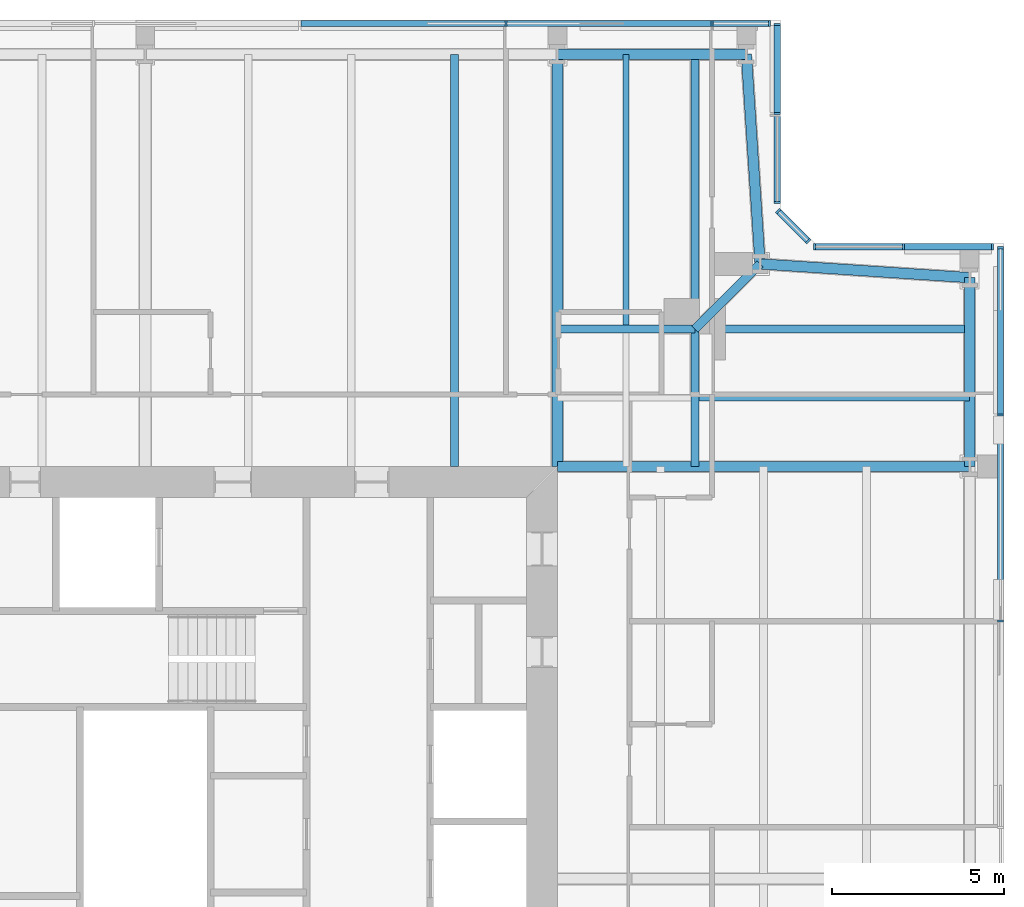
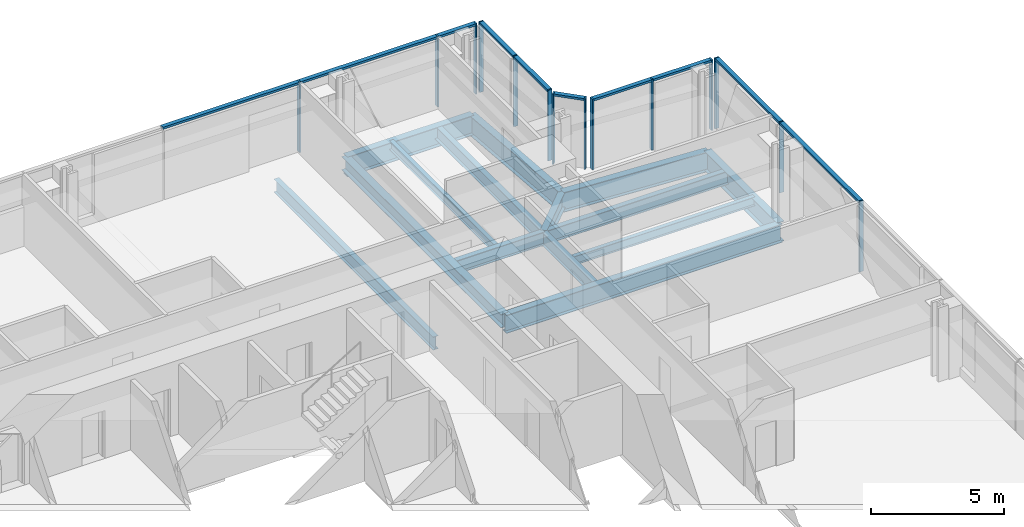
# One storey, part 9 of 20: 24 members, 14 beams, 5 elements without a shape of their own.
"""IFC4 building model written with IfcOpenShell, lengths in metres."""

from ifc_helpers import new_model, si_unit, direction, frame, origin, origin_2d, place, context, subcontext, project, spatial, rectangle, i_section, extrude, material, material_profile, profile_set, type_object, element, aggregate, save


model = new_model("IFC4")

# Units and contexts
model_context = context("Model", 3, precision=1e-05, world=origin(), true_north=direction((0.0, 1.0)))
body_context = subcontext(model_context, "Body", "Model", "MODEL_VIEW")
ifc_project = project(units=[si_unit("LENGTHUNIT", "METRE"), si_unit("AREAUNIT", "SQUARE_METRE"), si_unit("VOLUMEUNIT", "CUBIC_METRE"), si_unit("PLANEANGLEUNIT", "RADIAN"), si_unit("MASSUNIT", "GRAM", prefix="KILO")], contexts=[model_context])

# Site, building, storey
site_placement = place(None, origin())
site = spatial("IfcSite", under=ifc_project, at=site_placement, CompositionType="ELEMENT")
building_placement = place(site_placement, origin())
building = spatial("IfcBuilding", under=site, at=building_placement, Name="Fenwick Lantern Interchange", CompositionType="ELEMENT")
storey_placement = place(building_placement, frame((0.0, 0.0, 259.39990234375)))
storey = spatial("IfcBuildingStorey", under=building, at=storey_placement, Name="L61", CompositionType="ELEMENT", Elevation=259.39990234375)

# Beams
ifc_material_1 = material(Name="Steel ASTM A992 Grade 50", Category="steel")
ifc_material_profile_1 = material_profile(ifc_material_1, i_section(OverallWidth=0.3046875, OverallDepth=0.911865234375, WebThickness=0.015869140625, FlangeThickness=0.02392578125, at=origin_2d()), Name="W36X150")
ifc_profile_set_1 = profile_set([ifc_material_profile_1], Name="Steel ASTM A992 Grade 50")
beam_type_1 = type_object("IfcBeamType", Name="EDGE BEAM W36X150", PredefinedType="SPANDREL", material=ifc_profile_set_1)
beam_1_placement = place(storey_placement, frame((49.0, 37.0, -0.605712890625), z_axis=(0.0, 1.0, 0.0), x_axis=(-1.0, 0.0, 0.0)))
element("IfcBeam", 1, at=beam_1_placement, inside=storey, type_object=beam_type_1, Name="L61/FR/E/EB4", PredefinedType="SPANDREL", context=body_context, shape_type="SweptSolid", body=[
    extrude(i_section(OverallWidth=0.3046875, OverallDepth=0.911865234375, WebThickness=0.015869140625, FlangeThickness=0.02392578125, at=origin_2d()), origin(), (0.0, 0.0, 1.0), 5.5),
])
for number, where, z_axis, x_axis, name in (
    (2, (49.0, 42.5, -0.605712890625), (-0.997858060337, 0.065416293237, 0.0), (-0.065416293237, -0.997858060337, 0.0), "L61/FR/E/EBR1"),
    (3, (42.89990234375, 42.89990234375, -0.605712890625), (-0.065416293237, 0.997858060337, 0.0), (-0.997858060337, -0.065416293237, 0.0), "L61/FR/E/EBR2"),
):
    element("IfcBeam", number, at=place(storey_placement, frame(where, z_axis=z_axis, x_axis=x_axis)), inside=storey, type_object=beam_type_1, Name=name, PredefinedType="SPANDREL", context=body_context, shape_type="SweptSolid", body=[
        extrude(i_section(OverallWidth=0.3046875, OverallDepth=0.911865234375, WebThickness=0.015869140625, FlangeThickness=0.02392578125, at=origin_2d()), origin(), (0.0, 0.0, 1.0), 6.11328125),
    ])
beam_2_placement = place(storey_placement, frame((42.5, 49.0, -0.605712890625), z_axis=(-1.0, 0.0, 0.0), x_axis=(0.0, -1.0, 0.0)))
element("IfcBeam", 4, at=beam_2_placement, inside=storey, type_object=beam_type_1, Name="L61/FR/N/EB1", PredefinedType="SPANDREL", context=body_context, shape_type="SweptSolid", body=[
    extrude(i_section(OverallWidth=0.3046875, OverallDepth=0.911865234375, WebThickness=0.015869140625, FlangeThickness=0.02392578125, at=origin_2d()), origin(), (0.0, 0.0, 1.0), 5.5),
])
ifc_material_profile_2 = material_profile(ifc_material_1, i_section(OverallWidth=0.22900390625, OverallDepth=0.612060546875, WebThickness=0.011962890625, FlangeThickness=0.01953125, at=origin_2d()), Name="W24X84")
ifc_profile_set_2 = profile_set([ifc_material_profile_2], Name="Steel ASTM A992 Grade 50")
beam_type_2 = type_object("IfcBeamType", Name="FLOOR BEAM W24X84", PredefinedType="BEAM", material=ifc_profile_set_2)
beam_3_placement = place(storey_placement, frame((34.0, 49.0, -0.4560546875), z_axis=(0.0, -1.0, 0.0), x_axis=(1.0, 0.0, 0.0)))
element("IfcBeam", 5, at=beam_3_placement, inside=storey, type_object=beam_type_2, Name="L61/FR/N/R02", PredefinedType="BEAM", context=body_context, shape_type="SweptSolid", body=[
    extrude(i_section(OverallWidth=0.22900390625, OverallDepth=0.612060546875, WebThickness=0.011962890625, FlangeThickness=0.01953125, at=origin_2d()), origin(), (0.0, 0.0, 1.0), 12.0),
])

# Curtain wall, members
ifc_material_2 = material(Name="Aluminium curtain wall frame", Category="aluminium")
curtain_wall_type = type_object("IfcCurtainWallType", Name="HOTEL CURTAIN WALL", PredefinedType="USERDEFINED", material=ifc_material_2)
curtain_wall_1_placement = place(storey_placement, origin())
curtain_wall_1 = element("IfcCurtainWall", 6, at=curtain_wall_1_placement, inside=storey, type_object=curtain_wall_type, Name="Hotel curtain wall 05", ObjectType="HOTEL CURTAIN WALL", PredefinedType="USERDEFINED")
ifc_material_3 = material(Name="Aluminium extrusion", Category="aluminium")
ifc_material_profile_3 = material_profile(ifc_material_3, rectangle(XDim=0.179931640625, YDim=0.06005859375, at=origin_2d()), Name="HOTEL CURTAIN WALL MULLION 60 X 180")
ifc_profile_set_3 = profile_set([ifc_material_profile_3], Name="Aluminium extrusion")
member_type_1 = type_object("IfcMemberType", Name="HOTEL CURTAIN WALL MULLION 60 X 180", PredefinedType="MULLION", material=ifc_profile_set_3)
member_1_placement = place(storey_placement, frame((49.89990234375, 32.5, 0.0), z_axis=(0.0, 0.0, 1.0), x_axis=(-1.0, 0.0, 0.0)))
member_1 = element("IfcMember", 7, at=member_1_placement, type_object=member_type_1, Name="L61/CW/05/M05", PredefinedType="MULLION", context=body_context, shape_type="SweptSolid", body=[
    extrude(rectangle(XDim=0.179931640625, YDim=0.06005859375, at=origin_2d()), origin(), (0.0, 0.0, 1.0), 3.25),
])
member_2_placement = place(storey_placement, frame((49.89990234375, 38.5, 0.0), z_axis=(0.0, 0.0, 1.0), x_axis=(-1.0, 0.0, 0.0)))
member_2 = element("IfcMember", 8, at=member_2_placement, type_object=member_type_1, Name="L61/CW/05/M06", PredefinedType="MULLION", context=body_context, shape_type="SweptSolid", body=[
    extrude(rectangle(XDim=0.179931640625, YDim=0.06005859375, at=origin_2d()), origin(), (0.0, 0.0, 1.0), 3.25),
])
member_3_placement = place(storey_placement, frame((49.89990234375, 43.3701171875, 0.0), z_axis=(0.0, 0.0, 1.0), x_axis=(-1.0, 0.0, 0.0)))
member_3 = element("IfcMember", 9, at=member_3_placement, type_object=member_type_1, Name="L61/CW/05/M07", PredefinedType="MULLION", context=body_context, shape_type="SweptSolid", body=[
    extrude(rectangle(XDim=0.179931640625, YDim=0.06005859375, at=origin_2d()), origin(), (0.0, 0.0, 1.0), 3.25),
])

curtain_wall_2_placement = place(storey_placement, origin())
curtain_wall_2 = element("IfcCurtainWall", 10, at=curtain_wall_2_placement, inside=storey, type_object=curtain_wall_type, Name="Hotel curtain wall 06", ObjectType="HOTEL CURTAIN WALL", PredefinedType="USERDEFINED")
member_4_placement = place(storey_placement, frame((49.669921875, 43.39990234375, 0.0), z_axis=(0.0, 0.0, 1.0), x_axis=(0.0, -1.0, 0.0)))
member_4 = element("IfcMember", 11, at=member_4_placement, type_object=member_type_1, Name="L61/CW/06/M00", PredefinedType="MULLION", context=body_context, shape_type="SweptSolid", body=[
    extrude(rectangle(XDim=0.179931640625, YDim=0.06005859375, at=origin_2d()), origin(), (0.0, 0.0, 1.0), 3.25),
])
member_5_placement = place(storey_placement, frame((47.079345703125, 43.39990234375, 0.0), z_axis=(0.0, 0.0, 1.0), x_axis=(0.0, -1.0, 0.0)))
member_5 = element("IfcMember", 12, at=member_5_placement, type_object=member_type_1, Name="L61/CW/06/M01", PredefinedType="MULLION", context=body_context, shape_type="SweptSolid", body=[
    extrude(rectangle(XDim=0.179931640625, YDim=0.06005859375, at=origin_2d()), origin(), (0.0, 0.0, 1.0), 3.25),
])
member_6_placement = place(storey_placement, frame((44.488525390625, 43.39990234375, 0.0), z_axis=(0.0, 0.0, 1.0), x_axis=(0.0, -1.0, 0.0)))
member_6 = element("IfcMember", 13, at=member_6_placement, type_object=member_type_1, Name="L61/CW/06/M02", PredefinedType="MULLION", context=body_context, shape_type="SweptSolid", body=[
    extrude(rectangle(XDim=0.179931640625, YDim=0.06005859375, at=origin_2d()), origin(), (0.0, 0.0, 1.0), 3.25),
])

curtain_wall_3_placement = place(storey_placement, origin())
curtain_wall_3 = element("IfcCurtainWall", 14, at=curtain_wall_3_placement, inside=storey, type_object=curtain_wall_type, Name="Hotel curtain wall 07", ObjectType="HOTEL CURTAIN WALL", PredefinedType="USERDEFINED")
member_7_placement = place(storey_placement, frame((44.2958984375, 43.562744140625, 0.0), z_axis=(0.0, 0.0, 1.0), x_axis=(-0.707106781187, -0.707106781187, 0.0)))
member_7 = element("IfcMember", 15, at=member_7_placement, type_object=member_type_1, Name="L61/CW/07/M00", PredefinedType="MULLION", context=body_context, shape_type="SweptSolid", body=[
    extrude(rectangle(XDim=0.179931640625, YDim=0.06005859375, at=origin_2d()), origin(), (0.0, 0.0, 1.0), 3.25),
])
member_8_placement = place(storey_placement, frame((43.421142578125, 44.437255859375, 0.0), z_axis=(0.0, 0.0, 1.0), x_axis=(-0.707106781187, -0.707106781187, 0.0)))
member_8 = element("IfcMember", 16, at=member_8_placement, type_object=member_type_1, Name="L61/CW/07/M01", PredefinedType="MULLION", context=body_context, shape_type="SweptSolid", body=[
    extrude(rectangle(XDim=0.179931640625, YDim=0.06005859375, at=origin_2d()), origin(), (0.0, 0.0, 1.0), 3.25),
])

curtain_wall_4_placement = place(storey_placement, origin())
curtain_wall_4 = element("IfcCurtainWall", 17, at=curtain_wall_4_placement, inside=storey, type_object=curtain_wall_type, Name="Hotel curtain wall 08", ObjectType="HOTEL CURTAIN WALL", PredefinedType="USERDEFINED")
member_9_placement = place(storey_placement, frame((43.39990234375, 44.6884765625, 0.0), z_axis=(0.0, 0.0, 1.0), x_axis=(-1.0, 0.0, 0.0)))
member_9 = element("IfcMember", 18, at=member_9_placement, type_object=member_type_1, Name="L61/CW/08/M00", PredefinedType="MULLION", context=body_context, shape_type="SweptSolid", body=[
    extrude(rectangle(XDim=0.179931640625, YDim=0.06005859375, at=origin_2d()), origin(), (0.0, 0.0, 1.0), 3.25),
])
member_10_placement = place(storey_placement, frame((43.39990234375, 47.279296875, 0.0), z_axis=(0.0, 0.0, 1.0), x_axis=(-1.0, 0.0, 0.0)))
member_10 = element("IfcMember", 19, at=member_10_placement, type_object=member_type_1, Name="L61/CW/08/M01", PredefinedType="MULLION", context=body_context, shape_type="SweptSolid", body=[
    extrude(rectangle(XDim=0.179931640625, YDim=0.06005859375, at=origin_2d()), origin(), (0.0, 0.0, 1.0), 3.25),
])
member_11_placement = place(storey_placement, frame((43.39990234375, 49.8701171875, 0.0), z_axis=(0.0, 0.0, 1.0), x_axis=(-1.0, 0.0, 0.0)))
member_11 = element("IfcMember", 20, at=member_11_placement, type_object=member_type_1, Name="L61/CW/08/M02", PredefinedType="MULLION", context=body_context, shape_type="SweptSolid", body=[
    extrude(rectangle(XDim=0.179931640625, YDim=0.06005859375, at=origin_2d()), origin(), (0.0, 0.0, 1.0), 3.25),
])

curtain_wall_5_placement = place(storey_placement, origin())
curtain_wall_5 = element("IfcCurtainWall", 21, at=curtain_wall_5_placement, inside=storey, type_object=curtain_wall_type, Name="Hotel curtain wall 09", ObjectType="HOTEL CURTAIN WALL", PredefinedType="USERDEFINED")
member_12_placement = place(storey_placement, frame((43.169921875, 49.89990234375, 0.0), z_axis=(0.0, 0.0, 1.0), x_axis=(0.0, -1.0, 0.0)))
member_12 = element("IfcMember", 22, at=member_12_placement, type_object=member_type_1, Name="L61/CW/09/M00", PredefinedType="MULLION", context=body_context, shape_type="SweptSolid", body=[
    extrude(rectangle(XDim=0.179931640625, YDim=0.06005859375, at=origin_2d()), origin(), (0.0, 0.0, 1.0), 3.25),
])
member_13_placement = place(storey_placement, frame((41.5, 49.89990234375, 0.0), z_axis=(0.0, 0.0, 1.0), x_axis=(0.0, -1.0, 0.0)))
member_13 = element("IfcMember", 23, at=member_13_placement, type_object=member_type_1, Name="L61/CW/09/M01", PredefinedType="MULLION", context=body_context, shape_type="SweptSolid", body=[
    extrude(rectangle(XDim=0.179931640625, YDim=0.06005859375, at=origin_2d()), origin(), (0.0, 0.0, 1.0), 3.25),
])
member_14_placement = place(storey_placement, frame((35.5, 49.89990234375, 0.0), z_axis=(0.0, 0.0, 1.0), x_axis=(0.0, -1.0, 0.0)))
member_14 = element("IfcMember", 24, at=member_14_placement, type_object=member_type_1, Name="L61/CW/09/M02", PredefinedType="MULLION", context=body_context, shape_type="SweptSolid", body=[
    extrude(rectangle(XDim=0.179931640625, YDim=0.06005859375, at=origin_2d()), origin(), (0.0, 0.0, 1.0), 3.25),
])

# Member
ifc_material_profile_4 = material_profile(ifc_material_3, rectangle(XDim=0.179931640625, YDim=0.10009765625, at=origin_2d()), Name="HOTEL CURTAIN WALL TRANSOM 100 X 180")
ifc_profile_set_4 = profile_set([ifc_material_profile_4], Name="Aluminium extrusion")
member_type_2 = type_object("IfcMemberType", Name="HOTEL CURTAIN WALL TRANSOM 100 X 180", PredefinedType="MULLION", material=ifc_profile_set_4)
member_15_placement = place(storey_placement, frame((49.89990234375, 32.530029296875, 3.2001953125), z_axis=(0.0, 1.0, 0.0), x_axis=(-1.0, 0.0, 0.0)))
member_15 = element("IfcMember", 25, at=member_15_placement, type_object=member_type_2, Name="L61/CW/05/T05", PredefinedType="MULLION", context=body_context, shape_type="SweptSolid", body=[
    extrude(rectangle(XDim=0.179931640625, YDim=0.10009765625, at=origin_2d()), origin(), (0.0, 0.0, 1.0), 5.93994140625),
])

member_16_placement = place(storey_placement, frame((49.89990234375, 38.530029296875, 3.2001953125), z_axis=(0.0, 1.0, 0.0), x_axis=(-1.0, 0.0, 0.0)))
member_16 = element("IfcMember", 26, at=member_16_placement, type_object=member_type_2, Name="L61/CW/05/T06", PredefinedType="MULLION", context=body_context, shape_type="SweptSolid", body=[
    extrude(rectangle(XDim=0.179931640625, YDim=0.10009765625, at=origin_2d()), origin(), (0.0, 0.0, 1.0), 4.81005859375),
])

aggregate(curtain_wall_1, [member_1, member_2, member_3, member_15, member_16])

member_17_placement = place(storey_placement, frame((49.639892578125, 43.39990234375, 3.2001953125), z_axis=(-1.0, 0.0, 0.0), x_axis=(0.0, -1.0, 0.0)))
member_17 = element("IfcMember", 27, at=member_17_placement, type_object=member_type_2, Name="L61/CW/06/T00", PredefinedType="MULLION", context=body_context, shape_type="SweptSolid", body=[
    extrude(rectangle(XDim=0.179931640625, YDim=0.10009765625, at=origin_2d()), origin(), (0.0, 0.0, 1.0), 2.530517578125),
])

member_18_placement = place(storey_placement, frame((47.04931640625, 43.39990234375, 3.2001953125), z_axis=(-1.0, 0.0, 0.0), x_axis=(0.0, -1.0, 0.0)))
member_18 = element("IfcMember", 28, at=member_18_placement, type_object=member_type_2, Name="L61/CW/06/T01", PredefinedType="MULLION", context=body_context, shape_type="SweptSolid", body=[
    extrude(rectangle(XDim=0.179931640625, YDim=0.10009765625, at=origin_2d()), origin(), (0.0, 0.0, 1.0), 2.53076171875),
])

aggregate(curtain_wall_2, [member_4, member_5, member_6, member_17, member_18])

member_19_placement = place(storey_placement, frame((44.274658203125, 43.583740234375, 3.2001953125), z_axis=(-0.707003077033, 0.707210470133, 0.0), x_axis=(-0.707210470133, -0.707003077033, 0.0)))
member_19 = element("IfcMember", 29, at=member_19_placement, type_object=member_type_2, Name="L61/CW/07/T00", PredefinedType="MULLION", context=body_context, shape_type="SweptSolid", body=[
    extrude(rectangle(XDim=0.179931640625, YDim=0.10009765625, at=origin_2d()), origin(), (0.0, 0.0, 1.0), 1.17724609375),
])

aggregate(curtain_wall_3, [member_7, member_8, member_19])

member_20_placement = place(storey_placement, frame((43.39990234375, 44.718505859375, 3.2001953125), z_axis=(0.0, 1.0, 0.0), x_axis=(-1.0, 0.0, 0.0)))
member_20 = element("IfcMember", 30, at=member_20_placement, type_object=member_type_2, Name="L61/CW/08/T00", PredefinedType="MULLION", context=body_context, shape_type="SweptSolid", body=[
    extrude(rectangle(XDim=0.179931640625, YDim=0.10009765625, at=origin_2d()), origin(), (0.0, 0.0, 1.0), 2.53076171875),
])

member_21_placement = place(storey_placement, frame((43.39990234375, 47.309326171875, 3.2001953125), z_axis=(0.0, 1.0, 0.0), x_axis=(-1.0, 0.0, 0.0)))
member_21 = element("IfcMember", 31, at=member_21_placement, type_object=member_type_2, Name="L61/CW/08/T01", PredefinedType="MULLION", context=body_context, shape_type="SweptSolid", body=[
    extrude(rectangle(XDim=0.179931640625, YDim=0.10009765625, at=origin_2d()), origin(), (0.0, 0.0, 1.0), 2.53076171875),
])

aggregate(curtain_wall_4, [member_9, member_10, member_11, member_20, member_21])

member_22_placement = place(storey_placement, frame((43.139892578125, 49.89990234375, 3.2001953125), z_axis=(-1.0, 0.0, 0.0), x_axis=(0.0, -1.0, 0.0)))
member_22 = element("IfcMember", 32, at=member_22_placement, type_object=member_type_2, Name="L61/CW/09/T00", PredefinedType="MULLION", context=body_context, shape_type="SweptSolid", body=[
    extrude(rectangle(XDim=0.179931640625, YDim=0.10009765625, at=origin_2d()), origin(), (0.0, 0.0, 1.0), 1.60986328125),
])

member_23_placement = place(storey_placement, frame((41.469970703125, 49.89990234375, 3.2001953125), z_axis=(-1.0, 0.0, 0.0), x_axis=(0.0, -1.0, 0.0)))
member_23 = element("IfcMember", 33, at=member_23_placement, type_object=member_type_2, Name="L61/CW/09/T01", PredefinedType="MULLION", context=body_context, shape_type="SweptSolid", body=[
    extrude(rectangle(XDim=0.179931640625, YDim=0.10009765625, at=origin_2d()), origin(), (0.0, 0.0, 1.0), 5.93994140625),
])

member_24_placement = place(storey_placement, frame((35.469970703125, 49.89990234375, 3.2001953125), z_axis=(-1.0, 0.0, 0.0), x_axis=(0.0, -1.0, 0.0)))
member_24 = element("IfcMember", 34, at=member_24_placement, type_object=member_type_2, Name="L61/CW/09/T02", PredefinedType="MULLION", context=body_context, shape_type="SweptSolid", body=[
    extrude(rectangle(XDim=0.179931640625, YDim=0.10009765625, at=origin_2d()), origin(), (0.0, 0.0, 1.0), 5.93994140625),
])

aggregate(curtain_wall_5, [member_12, member_13, member_14, member_22, member_23, member_24])

# Beams
ifc_material_profile_5 = material_profile(ifc_material_1, i_section(OverallWidth=0.177734375, OverallDepth=0.406494140625, WebThickness=0.0078125, FlangeThickness=0.012939453125, at=origin_2d()), Name="W16X40")
ifc_profile_set_5 = profile_set([ifc_material_profile_5], Name="Steel ASTM A992 Grade 50")
beam_type_3 = type_object("IfcBeamType", Name="INFILL BEAM W16X40", PredefinedType="JOIST", material=ifc_profile_set_5)
for number, where, z_axis, x_axis, name in (
    (35, (39.0, 49.0, -0.35302734375), (0.0, -1.0, 0.0), (1.0, 0.0, 0.0), "L61/FR/N/J1"),
    (36, (49.0, 39.0, -0.35302734375), (-1.0, 0.0, 0.0), (0.0, -1.0, 0.0), "L61/FR/N/J3"),
):
    element("IfcBeam", number, at=place(storey_placement, frame(where, z_axis=z_axis, x_axis=x_axis)), inside=storey, type_object=beam_type_3, Name=name, PredefinedType="JOIST", context=body_context, shape_type="SweptSolid", body=[
        extrude(i_section(OverallWidth=0.177734375, OverallDepth=0.406494140625, WebThickness=0.0078125, FlangeThickness=0.012939453125, at=origin_2d()), origin(), (0.0, 0.0, 1.0), 7.885498046875),
    ])
ifc_material_profile_6 = material_profile(ifc_material_1, i_section(OverallWidth=0.22900390625, OverallDepth=0.612060546875, WebThickness=0.011962890625, FlangeThickness=0.01953125, at=origin_2d()), Name="W24X84")
ifc_profile_set_6 = profile_set([ifc_material_profile_6], Name="Steel ASTM A992 Grade 50")
beam_type_4 = type_object("IfcBeamType", Name="MEGA COLUMN BEAM W24X84", PredefinedType="BEAM", material=ifc_profile_set_6)
for number, where, z_axis, x_axis, name in (
    (37, (41.0, 41.0, -0.4560546875), (0.0, 1.0, 0.0), (-1.0, 0.0, 0.0), "L61/FR/N/MB1"),
    (38, (41.0, 41.0, -0.4560546875), (1.0, 0.0, 0.0), (0.0, 1.0, 0.0), "L61/FR/N/MB2"),
):
    element("IfcBeam", number, at=place(storey_placement, frame(where, z_axis=z_axis, x_axis=x_axis)), inside=storey, type_object=beam_type_4, Name=name, PredefinedType="BEAM", context=body_context, shape_type="SweptSolid", body=[
        extrude(i_section(OverallWidth=0.22900390625, OverallDepth=0.612060546875, WebThickness=0.011962890625, FlangeThickness=0.01953125, at=origin_2d()), origin(), (0.0, 0.0, 1.0), 8.0),
    ])
for number, where, z_axis, x_axis, name in (
    (39, (41.0, 41.0, -0.4560546875), (-1.0, 0.0, 0.0), (0.0, -1.0, 0.0), "L61/FR/N/MB3"),
    (40, (41.0, 41.0, -0.4560546875), (0.0, -1.0, 0.0), (1.0, 0.0, 0.0), "L61/FR/N/MB4"),
):
    element("IfcBeam", number, at=place(storey_placement, frame(where, z_axis=z_axis, x_axis=x_axis)), inside=storey, type_object=beam_type_4, Name=name, PredefinedType="BEAM", context=body_context, shape_type="SweptSolid", body=[
        extrude(i_section(OverallWidth=0.22900390625, OverallDepth=0.612060546875, WebThickness=0.011962890625, FlangeThickness=0.01953125, at=origin_2d()), origin(), (0.0, 0.0, 1.0), 4.0),
    ])
ifc_material_profile_7 = material_profile(ifc_material_1, i_section(OverallWidth=0.32763671875, OverallDepth=0.622314453125, WebThickness=0.015380859375, FlangeThickness=0.0244140625, at=origin_2d()), Name="W24X131")
ifc_profile_set_7 = profile_set([ifc_material_profile_7], Name="Steel ASTM A992 Grade 50")
beam_type_5 = type_object("IfcBeamType", Name="MOMENT-CONNECTED GIRDER W24X131", PredefinedType="BEAM", material=ifc_profile_set_7)
beam_4_placement = place(storey_placement, frame((37.0, 49.0, -0.4609375), z_axis=(0.0, -1.0, 0.0), x_axis=(1.0, 0.0, 0.0)))
element("IfcBeam", 41, at=beam_4_placement, inside=storey, type_object=beam_type_5, Name="L61/FR/N/R01", PredefinedType="BEAM", context=body_context, shape_type="SweptSolid", body=[
    extrude(i_section(OverallWidth=0.32763671875, OverallDepth=0.622314453125, WebThickness=0.015380859375, FlangeThickness=0.0244140625, at=origin_2d()), origin(), (0.0, 0.0, 1.0), 12.0),
])
ifc_material_profile_8 = material_profile(ifc_material_1, i_section(OverallWidth=0.2919921875, OverallDepth=0.845703125, WebThickness=0.015380859375, FlangeThickness=0.0244140625, at=origin_2d()), Name="W33X141")
ifc_profile_set_8 = profile_set([ifc_material_profile_8], Name="Steel ASTM A992 Grade 50")
beam_type_6 = type_object("IfcBeamType", Name="MOMENT-CONNECTED GIRDER W33X141", PredefinedType="BEAM", material=ifc_profile_set_8)
beam_5_placement = place(storey_placement, frame((49.0, 37.0, -0.57275390625), z_axis=(-1.0, 0.0, 0.0), x_axis=(0.0, -1.0, 0.0)))
element("IfcBeam", 42, at=beam_5_placement, inside=storey, type_object=beam_type_6, Name="L61/FR/E/R03", PredefinedType="BEAM", context=body_context, shape_type="SweptSolid", body=[
    extrude(i_section(OverallWidth=0.2919921875, OverallDepth=0.845703125, WebThickness=0.015380859375, FlangeThickness=0.0244140625, at=origin_2d()), origin(), (0.0, 0.0, 1.0), 12.0),
])
ifc_material_profile_9 = material_profile(ifc_material_1, i_section(OverallWidth=0.2666015625, OverallDepth=0.7568359375, WebThickness=0.013916015625, FlangeThickness=0.019287109375, at=origin_2d()), Name="W30X108")
ifc_profile_set_9 = profile_set([ifc_material_profile_9], Name="Steel ASTM A992 Grade 50")
beam_type_7 = type_object("IfcBeamType", Name="NOTCH BEAM W30X108", PredefinedType="BEAM", material=ifc_profile_set_9)
beam_6_placement = place(storey_placement, frame((41.0, 41.0, -0.5283203125), z_axis=(0.707106781187, 0.707106781187, 0.0), x_axis=(-0.707106781187, 0.707106781187, 0.0)))
element("IfcBeam", 43, at=beam_6_placement, inside=storey, type_object=beam_type_7, Name="L61/FR/N/TG", PredefinedType="BEAM", context=body_context, shape_type="SweptSolid", body=[
    extrude(i_section(OverallWidth=0.2666015625, OverallDepth=0.7568359375, WebThickness=0.013916015625, FlangeThickness=0.019287109375, at=origin_2d()), origin(), (0.0, 0.0, 1.0), 2.686767578125),
])

save(model, "model.ifc")
